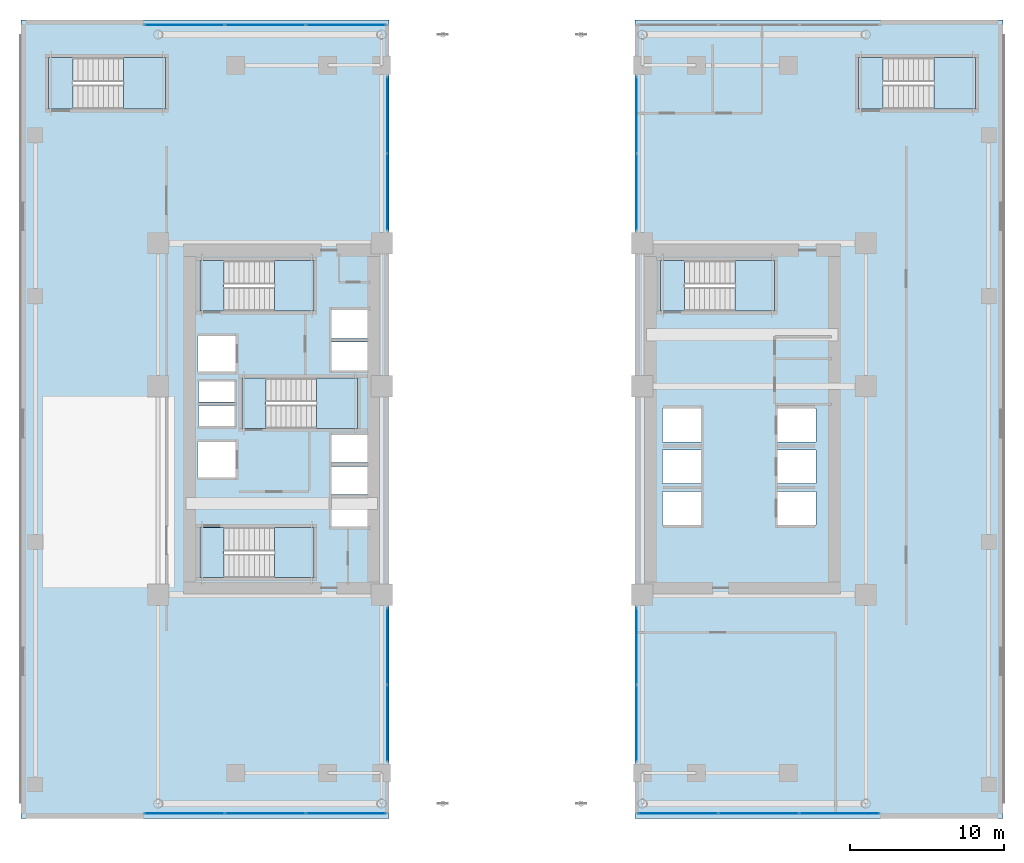
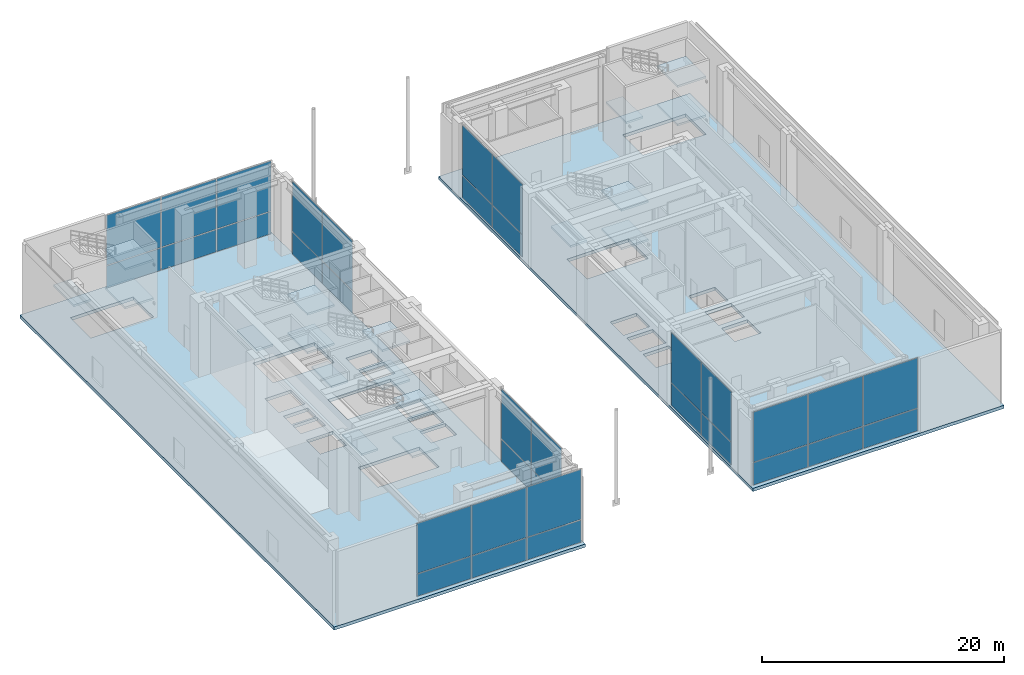
# One storey, part 18 of 29: 34 plates, 20 slabs, 13 elements without a shape of their own.
"""IFC4 building model written with IfcOpenShell, lengths in metres."""

from ifc_helpers import new_model, si_unit, direction, frame, origin, origin_2d, place, context, subcontext, project, spatial, polyline, rectangle, outline, extrude, source, transform, mapped, material, layer, layer_set, type_object, element, aggregate, save


model = new_model("IFC4")

# Units and contexts
model_context = context("Model", 3, precision=1e-05, world=origin(), true_north=direction((0.0, 1.0)))
body_context = subcontext(model_context, "Body", "Model", "MODEL_VIEW")
ifc_project = project(units=[si_unit("LENGTHUNIT", "METRE"), si_unit("AREAUNIT", "SQUARE_METRE"), si_unit("VOLUMEUNIT", "CUBIC_METRE"), si_unit("PLANEANGLEUNIT", "RADIAN"), si_unit("MASSUNIT", "GRAM", prefix="KILO")], contexts=[model_context])

# Site, building, storey
site_placement = place(None, origin())
site = spatial("IfcSite", under=ifc_project, at=site_placement, CompositionType="ELEMENT")
building_placement = place(site_placement, origin())
building = spatial("IfcBuilding", under=site, at=building_placement, Name="Ocotamira Hotel", CompositionType="ELEMENT")
storey_placement = place(building_placement, frame((0.0, 0.0, 11.39990234375)))
storey = spatial("IfcBuildingStorey", under=building, at=storey_placement, Name="L03", CompositionType="ELEMENT", Elevation=11.39990234375)

# Slabs
ifc_material_1 = material(Name="Concrete C40/50", Category="concrete")
ifc_layer_1 = layer(ifc_material_1, 0.320068359375)
ifc_layer_set_1 = layer_set([ifc_layer_1], Name="Concrete C40/50")
slab_type_1 = type_object("IfcSlabType", Name="SLB-HVY-320", PredefinedType="FLOOR", material=ifc_layer_set_1)
slab_1_placement = place(storey_placement, frame((0.0, 0.0, -0.31982421875)))
element("IfcSlab", 1, at=slab_1_placement, inside=storey, type_object=slab_type_1, Name="L03 Structural Floor Slab-P1", PredefinedType="FLOOR", context=body_context, shape_type="SweptSolid", body=[
    extrude(outline(polyline([(0.0, 0.0), (24.0, 0.0), (24.0, 52.0), (0.0, 52.0), (0.0, 0.0)]), holes=[polyline([(13.22998046875, 15.669921875), (19.090087890625, 15.669921875), (19.090087890625, 18.949951171875), (13.22998046875, 18.949951171875), (13.22998046875, 15.669921875)]), polyline([(13.22998046875, 33.050048828125), (19.090087890625, 33.050048828125), (19.090087890625, 36.330078125), (13.22998046875, 36.330078125), (13.22998046875, 33.050048828125)]), polyline([(15.9599609375, 25.39990234375), (21.919921875, 25.39990234375), (21.919921875, 28.679931640625), (15.9599609375, 28.679931640625), (15.9599609375, 25.39990234375)]), polyline([(3.39990234375, 46.199951171875), (9.419921875, 46.199951171875), (9.419921875, 49.56005859375), (3.39990234375, 49.56005859375), (3.39990234375, 46.199951171875)]), polyline([(20.25, 19.0), (22.659912109375, 19.0), (22.659912109375, 20.85009765625), (20.25, 20.85009765625), (20.25, 19.0)]), polyline([(20.25, 21.080078125), (22.659912109375, 21.080078125), (22.659912109375, 22.929931640625), (20.25, 22.929931640625), (20.25, 21.080078125)]), polyline([(20.25, 23.159912109375), (22.659912109375, 23.159912109375), (22.659912109375, 24.9599609375), (20.25, 24.9599609375), (20.25, 23.159912109375)]), polyline([(20.25, 29.179931640625), (22.659912109375, 29.179931640625), (22.659912109375, 31.030029296875), (20.25, 31.030029296875), (20.25, 29.179931640625)]), polyline([(20.25, 31.260009765625), (22.659912109375, 31.260009765625), (22.659912109375, 33.110107421875), (20.25, 33.110107421875), (20.25, 31.260009765625)]), polyline([(11.5, 22.199951171875), (14.0, 22.199951171875), (14.0, 24.5), (11.5, 24.5), (11.5, 22.199951171875)]), polyline([(11.5, 29.10009765625), (14.0, 29.10009765625), (14.0, 31.39990234375), (11.5, 31.39990234375), (11.5, 29.10009765625)]), polyline([(11.580078125, 25.550048828125), (13.919921875, 25.550048828125), (13.919921875, 26.89990234375), (11.580078125, 26.89990234375), (11.580078125, 25.550048828125)]), polyline([(11.580078125, 27.10009765625), (13.919921875, 27.10009765625), (13.919921875, 28.449951171875), (11.580078125, 28.449951171875), (11.580078125, 27.10009765625)])]), origin(), (0.0, 0.0, 1.0), 0.31982421875),
])
slab_2_placement = place(storey_placement, frame((0.0, 0.0, -0.31982421875)))
element("IfcSlab", 2, at=slab_2_placement, inside=storey, type_object=slab_type_1, Name="L03 Structural Floor Slab-P2", PredefinedType="FLOOR", context=body_context, shape_type="SweptSolid", body=[
    extrude(outline(polyline([(40.0, 0.0), (64.0, 0.0), (64.0, 52.0), (40.0, 52.0), (40.0, 0.0)]), holes=[polyline([(43.22998046875, 33.050048828125), (49.090087890625, 33.050048828125), (49.090087890625, 36.330078125), (43.22998046875, 36.330078125), (43.22998046875, 33.050048828125)]), polyline([(56.179931640625, 46.199951171875), (62.199951171875, 46.199951171875), (62.199951171875, 49.56005859375), (56.179931640625, 49.56005859375), (56.179931640625, 46.199951171875)]), polyline([(49.300048828125, 19.10009765625), (51.800048828125, 19.10009765625), (51.800048828125, 21.300048828125), (49.300048828125, 21.300048828125), (49.300048828125, 19.10009765625)]), polyline([(49.300048828125, 21.800048828125), (51.800048828125, 21.800048828125), (51.800048828125, 24.0), (49.300048828125, 24.0), (49.300048828125, 21.800048828125)]), polyline([(49.300048828125, 24.5), (51.800048828125, 24.5), (51.800048828125, 26.699951171875), (49.300048828125, 26.699951171875), (49.300048828125, 24.5)]), polyline([(41.800048828125, 19.10009765625), (44.300048828125, 19.10009765625), (44.300048828125, 21.300048828125), (41.800048828125, 21.300048828125), (41.800048828125, 19.10009765625)]), polyline([(41.800048828125, 21.800048828125), (44.300048828125, 21.800048828125), (44.300048828125, 24.0), (41.800048828125, 24.0), (41.800048828125, 21.800048828125)]), polyline([(41.800048828125, 24.5), (44.300048828125, 24.5), (44.300048828125, 26.699951171875), (41.800048828125, 26.699951171875), (41.800048828125, 24.5)])]), origin(), (0.0, 0.0, 1.0), 0.31982421875),
])

# Stair, slabs
stair_type_1 = type_object("IfcStairType", Name="ST-CORE-1560", PredefinedType="HALF_TURN_STAIR", material=ifc_material_1)
stair_1_placement = place(storey_placement, origin())
stair_1 = element("IfcStair", 3, at=stair_1_placement, inside=storey, type_object=stair_type_1, Name="L03 Exit Stair ST-1", PredefinedType="HALF_TURN_STAIR")
ifc_layer_2 = layer(ifc_material_1, 0.199951171875)
ifc_layer_set_2 = layer_set([ifc_layer_2], Name="Concrete C40/50")
slab_type_2 = type_object("IfcSlabType", Name="SLB-LAND-200", PredefinedType="LANDING", material=ifc_layer_set_2)
slab_3_placement = place(storey_placement, frame((0.0, 0.0, 1.75)))
slab_3 = element("IfcSlab", 4, at=slab_3_placement, type_object=slab_type_2, Name="ST-1 landing 1", PredefinedType="LANDING", context=body_context, shape_type="SweptSolid", body=[
    extrude(outline(polyline([(16.530029296875, 15.669921875), (19.090087890625, 15.669921875), (19.090087890625, 18.949951171875), (16.530029296875, 18.949951171875), (16.530029296875, 15.669921875)])), origin(), (0.0, 0.0, 1.0), 0.2001953125),
])
slab_4_placement = place(storey_placement, frame((0.0, 0.0, 3.7001953125)))
slab_4 = element("IfcSlab", 5, at=slab_4_placement, type_object=slab_type_2, Name="ST-1 landing 2", PredefinedType="LANDING", context=body_context, shape_type="SweptSolid", body=[
    extrude(outline(polyline([(11.669921875, 15.669921875), (13.22998046875, 15.669921875), (13.22998046875, 18.949951171875), (11.669921875, 18.949951171875), (11.669921875, 15.669921875)])), origin(), (0.0, 0.0, 1.0), 0.199951171875),
])
slab_5_placement = place(storey_placement, frame((0.0, 0.0, 5.650146484375)))
slab_5 = element("IfcSlab", 6, at=slab_5_placement, type_object=slab_type_2, Name="ST-1 landing 3", PredefinedType="LANDING", context=body_context, shape_type="SweptSolid", body=[
    extrude(outline(polyline([(16.530029296875, 15.669921875), (19.090087890625, 15.669921875), (19.090087890625, 18.949951171875), (16.530029296875, 18.949951171875), (16.530029296875, 15.669921875)])), origin(), (0.0, 0.0, 1.0), 0.199951171875),
])
aggregate(stair_1, [slab_3, slab_4, slab_5])

stair_2_placement = place(storey_placement, origin())
stair_2 = element("IfcStair", 7, at=stair_2_placement, inside=storey, type_object=stair_type_1, Name="L03 Exit Stair ST-2", PredefinedType="HALF_TURN_STAIR")
slab_6_placement = place(storey_placement, frame((0.0, 0.0, 1.75)))
slab_6 = element("IfcSlab", 8, at=slab_6_placement, type_object=slab_type_2, Name="ST-2 landing 1", PredefinedType="LANDING", context=body_context, shape_type="SweptSolid", body=[
    extrude(outline(polyline([(16.530029296875, 33.050048828125), (19.090087890625, 33.050048828125), (19.090087890625, 36.330078125), (16.530029296875, 36.330078125), (16.530029296875, 33.050048828125)])), origin(), (0.0, 0.0, 1.0), 0.2001953125),
])
slab_7_placement = place(storey_placement, frame((0.0, 0.0, 3.7001953125)))
slab_7 = element("IfcSlab", 9, at=slab_7_placement, type_object=slab_type_2, Name="ST-2 landing 2", PredefinedType="LANDING", context=body_context, shape_type="SweptSolid", body=[
    extrude(outline(polyline([(11.669921875, 33.050048828125), (13.22998046875, 33.050048828125), (13.22998046875, 36.330078125), (11.669921875, 36.330078125), (11.669921875, 33.050048828125)])), origin(), (0.0, 0.0, 1.0), 0.199951171875),
])
slab_8_placement = place(storey_placement, frame((0.0, 0.0, 5.650146484375)))
slab_8 = element("IfcSlab", 10, at=slab_8_placement, type_object=slab_type_2, Name="ST-2 landing 3", PredefinedType="LANDING", context=body_context, shape_type="SweptSolid", body=[
    extrude(outline(polyline([(16.530029296875, 33.050048828125), (19.090087890625, 33.050048828125), (19.090087890625, 36.330078125), (16.530029296875, 36.330078125), (16.530029296875, 33.050048828125)])), origin(), (0.0, 0.0, 1.0), 0.199951171875),
])
aggregate(stair_2, [slab_6, slab_7, slab_8])

stair_3_placement = place(storey_placement, origin())
stair_3 = element("IfcStair", 11, at=stair_3_placement, inside=storey, type_object=stair_type_1, Name="L03 Exit Stair ST-3", PredefinedType="HALF_TURN_STAIR")
slab_9_placement = place(storey_placement, frame((0.0, 0.0, 1.75)))
slab_9 = element("IfcSlab", 12, at=slab_9_placement, type_object=slab_type_2, Name="ST-3 landing 1", PredefinedType="LANDING", context=body_context, shape_type="SweptSolid", body=[
    extrude(outline(polyline([(19.260009765625, 25.39990234375), (21.919921875, 25.39990234375), (21.919921875, 28.679931640625), (19.260009765625, 28.679931640625), (19.260009765625, 25.39990234375)])), origin(), (0.0, 0.0, 1.0), 0.2001953125),
])
slab_10_placement = place(storey_placement, frame((0.0, 0.0, 3.7001953125)))
slab_10 = element("IfcSlab", 13, at=slab_10_placement, type_object=slab_type_2, Name="ST-3 landing 2", PredefinedType="LANDING", context=body_context, shape_type="SweptSolid", body=[
    extrude(outline(polyline([(14.39990234375, 25.39990234375), (15.9599609375, 25.39990234375), (15.9599609375, 28.679931640625), (14.39990234375, 28.679931640625), (14.39990234375, 25.39990234375)])), origin(), (0.0, 0.0, 1.0), 0.199951171875),
])
slab_11_placement = place(storey_placement, frame((0.0, 0.0, 5.650146484375)))
slab_11 = element("IfcSlab", 14, at=slab_11_placement, type_object=slab_type_2, Name="ST-3 landing 3", PredefinedType="LANDING", context=body_context, shape_type="SweptSolid", body=[
    extrude(outline(polyline([(19.260009765625, 25.39990234375), (21.919921875, 25.39990234375), (21.919921875, 28.679931640625), (19.260009765625, 28.679931640625), (19.260009765625, 25.39990234375)])), origin(), (0.0, 0.0, 1.0), 0.199951171875),
])
aggregate(stair_3, [slab_9, slab_10, slab_11])

stair_4_placement = place(storey_placement, origin())
stair_4 = element("IfcStair", 15, at=stair_4_placement, inside=storey, type_object=stair_type_1, Name="L03 Exit Stair ST-4", PredefinedType="HALF_TURN_STAIR")
slab_12_placement = place(storey_placement, frame((0.0, 0.0, 1.75)))
slab_12 = element("IfcSlab", 16, at=slab_12_placement, type_object=slab_type_2, Name="ST-4 landing 1", PredefinedType="LANDING", context=body_context, shape_type="SweptSolid", body=[
    extrude(outline(polyline([(46.530029296875, 33.050048828125), (49.090087890625, 33.050048828125), (49.090087890625, 36.330078125), (46.530029296875, 36.330078125), (46.530029296875, 33.050048828125)])), origin(), (0.0, 0.0, 1.0), 0.2001953125),
])
slab_13_placement = place(storey_placement, frame((0.0, 0.0, 3.7001953125)))
slab_13 = element("IfcSlab", 17, at=slab_13_placement, type_object=slab_type_2, Name="ST-4 landing 2", PredefinedType="LANDING", context=body_context, shape_type="SweptSolid", body=[
    extrude(outline(polyline([(41.669921875, 33.050048828125), (43.22998046875, 33.050048828125), (43.22998046875, 36.330078125), (41.669921875, 36.330078125), (41.669921875, 33.050048828125)])), origin(), (0.0, 0.0, 1.0), 0.199951171875),
])
slab_14_placement = place(storey_placement, frame((0.0, 0.0, 5.650146484375)))
slab_14 = element("IfcSlab", 18, at=slab_14_placement, type_object=slab_type_2, Name="ST-4 landing 3", PredefinedType="LANDING", context=body_context, shape_type="SweptSolid", body=[
    extrude(outline(polyline([(46.530029296875, 33.050048828125), (49.090087890625, 33.050048828125), (49.090087890625, 36.330078125), (46.530029296875, 36.330078125), (46.530029296875, 33.050048828125)])), origin(), (0.0, 0.0, 1.0), 0.199951171875),
])
aggregate(stair_4, [slab_12, slab_13, slab_14])

stair_type_2 = type_object("IfcStairType", Name="ST-POD-1600", PredefinedType="HALF_TURN_STAIR", material=ifc_material_1)
stair_5_placement = place(storey_placement, origin())
stair_5 = element("IfcStair", 19, at=stair_5_placement, inside=storey, type_object=stair_type_2, Name="L03 Exit Stair ST-5", PredefinedType="HALF_TURN_STAIR")
slab_15_placement = place(storey_placement, frame((0.0, 0.0, 1.75)))
slab_15 = element("IfcSlab", 20, at=slab_15_placement, type_object=slab_type_2, Name="ST-5 landing 1", PredefinedType="LANDING", context=body_context, shape_type="SweptSolid", body=[
    extrude(outline(polyline([(6.699951171875, 46.199951171875), (9.419921875, 46.199951171875), (9.419921875, 49.56005859375), (6.699951171875, 49.56005859375), (6.699951171875, 46.199951171875)])), origin(), (0.0, 0.0, 1.0), 0.2001953125),
])
slab_16_placement = place(storey_placement, frame((0.0, 0.0, 3.7001953125)))
slab_16 = element("IfcSlab", 21, at=slab_16_placement, type_object=slab_type_2, Name="ST-5 landing 2", PredefinedType="LANDING", context=body_context, shape_type="SweptSolid", body=[
    extrude(outline(polyline([(1.800048828125, 46.199951171875), (3.39990234375, 46.199951171875), (3.39990234375, 49.56005859375), (1.800048828125, 49.56005859375), (1.800048828125, 46.199951171875)])), origin(), (0.0, 0.0, 1.0), 0.199951171875),
])
slab_17_placement = place(storey_placement, frame((0.0, 0.0, 5.650146484375)))
slab_17 = element("IfcSlab", 22, at=slab_17_placement, type_object=slab_type_2, Name="ST-5 landing 3", PredefinedType="LANDING", context=body_context, shape_type="SweptSolid", body=[
    extrude(outline(polyline([(6.699951171875, 46.199951171875), (9.419921875, 46.199951171875), (9.419921875, 49.56005859375), (6.699951171875, 49.56005859375), (6.699951171875, 46.199951171875)])), origin(), (0.0, 0.0, 1.0), 0.199951171875),
])
aggregate(stair_5, [slab_15, slab_16, slab_17])

stair_6_placement = place(storey_placement, origin())
stair_6 = element("IfcStair", 23, at=stair_6_placement, inside=storey, type_object=stair_type_2, Name="L03 Exit Stair ST-6", PredefinedType="HALF_TURN_STAIR")
slab_18_placement = place(storey_placement, frame((0.0, 0.0, 1.75)))
slab_18 = element("IfcSlab", 24, at=slab_18_placement, type_object=slab_type_2, Name="ST-6 landing 1", PredefinedType="LANDING", context=body_context, shape_type="SweptSolid", body=[
    extrude(outline(polyline([(59.47998046875, 46.199951171875), (62.199951171875, 46.199951171875), (62.199951171875, 49.56005859375), (59.47998046875, 49.56005859375), (59.47998046875, 46.199951171875)])), origin(), (0.0, 0.0, 1.0), 0.2001953125),
])
slab_19_placement = place(storey_placement, frame((0.0, 0.0, 3.7001953125)))
slab_19 = element("IfcSlab", 25, at=slab_19_placement, type_object=slab_type_2, Name="ST-6 landing 2", PredefinedType="LANDING", context=body_context, shape_type="SweptSolid", body=[
    extrude(outline(polyline([(54.580078125, 46.199951171875), (56.179931640625, 46.199951171875), (56.179931640625, 49.56005859375), (54.580078125, 49.56005859375), (54.580078125, 46.199951171875)])), origin(), (0.0, 0.0, 1.0), 0.199951171875),
])
slab_20_placement = place(storey_placement, frame((0.0, 0.0, 5.650146484375)))
slab_20 = element("IfcSlab", 26, at=slab_20_placement, type_object=slab_type_2, Name="ST-6 landing 3", PredefinedType="LANDING", context=body_context, shape_type="SweptSolid", body=[
    extrude(outline(polyline([(59.47998046875, 46.199951171875), (62.199951171875, 46.199951171875), (62.199951171875, 49.56005859375), (59.47998046875, 49.56005859375), (59.47998046875, 46.199951171875)])), origin(), (0.0, 0.0, 1.0), 0.199951171875),
])
aggregate(stair_6, [slab_18, slab_19, slab_20])

# Curtain wall, plates
ifc_material_2 = material(Name="Anodised pale-metal aluminium and solar glass", Category="aluminium")
ifc_layer_3 = layer(ifc_material_2, 0.219970703125)
ifc_layer_set_3 = layer_set([ifc_layer_3], Name="Anodised pale-metal aluminium and solar glass")
curtain_wall_type = type_object("IfcCurtainWallType", Name="CW-SYS1-POD", PredefinedType="NOTDEFINED", material=ifc_layer_set_3)
curtain_wall_1_placement = place(storey_placement, origin())
curtain_wall_1 = element("IfcCurtainWall", 27, at=curtain_wall_1_placement, inside=storey, type_object=curtain_wall_type, Name="L03 Curtain Wall CW-1 CW-L03-SE", PredefinedType="NOTDEFINED")
ifc_material_3 = material(Name="Double-silver low-E insulated solar glass", Category="glass")
ifc_layer_4 = layer(ifc_material_3, 0.031982421875)
ifc_layer_set_4 = layer_set([ifc_layer_4], Name="Double-silver low-E insulated solar glass")
plate_type = type_object("IfcPlateType", Name="CWP-VISION-32", PredefinedType="CURTAIN_PANEL", material=ifc_layer_set_4)
shared_shape_1 = source(origin(), body_context, "Body", "SweptSolid", [
    extrude(rectangle(XDim=5.163330078125, YDim=0.031982421875, at=origin_2d()), origin(), (0.0, 0.0, 1.0), 2.237548828125),
])
plate_1_placement = place(storey_placement, frame((42.811767578125, 0.320068359375, 0.0751953125), z_axis=(0.0, 0.0, 1.0), x_axis=(1.0, 0.0, 0.0)))
plate_1 = element("IfcPlate", 28, at=plate_1_placement, type_object=plate_type, Name="CW-1 panel 1.1", PredefinedType="CURTAIN_PANEL", context=body_context, shape_type="MappedRepresentation", body=[
    mapped(shared_shape_1, transform((0.0, 0.0, 0.0), scale=1.0)),
])
plate_2_placement = place(storey_placement, frame((53.33837890625, 0.320068359375, 0.0751953125), z_axis=(0.0, 0.0, 1.0), x_axis=(1.0, 0.0, 0.0)))
plate_2 = element("IfcPlate", 29, at=plate_2_placement, type_object=plate_type, Name="CW-1 panel 3.1", PredefinedType="CURTAIN_PANEL", context=body_context, shape_type="MappedRepresentation", body=[
    mapped(shared_shape_1, transform((0.0, 0.0, 0.0), scale=1.0)),
])

curtain_wall_2_placement = place(storey_placement, origin())
curtain_wall_2 = element("IfcCurtainWall", 30, at=curtain_wall_2_placement, inside=storey, type_object=curtain_wall_type, Name="L03 Curtain Wall CW-1 CW-L03-SW", PredefinedType="NOTDEFINED")
plate_3_placement = place(storey_placement, frame((10.66162109375, 0.320068359375, 0.0751953125), z_axis=(0.0, 0.0, 1.0), x_axis=(1.0, 0.0, 0.0)))
plate_3 = element("IfcPlate", 31, at=plate_3_placement, type_object=plate_type, Name="CW-1 panel 1.1", PredefinedType="CURTAIN_PANEL", context=body_context, shape_type="MappedRepresentation", body=[
    mapped(shared_shape_1, transform((0.0, 0.0, 0.0), scale=1.0)),
])
plate_4_placement = place(storey_placement, frame((21.188232421875, 0.320068359375, 0.0751953125), z_axis=(0.0, 0.0, 1.0), x_axis=(1.0, 0.0, 0.0)))
plate_4 = element("IfcPlate", 32, at=plate_4_placement, type_object=plate_type, Name="CW-1 panel 3.1", PredefinedType="CURTAIN_PANEL", context=body_context, shape_type="MappedRepresentation", body=[
    mapped(shared_shape_1, transform((0.0, 0.0, 0.0), scale=1.0)),
])

curtain_wall_3_placement = place(storey_placement, origin())
curtain_wall_3 = element("IfcCurtainWall", 33, at=curtain_wall_3_placement, inside=storey, type_object=curtain_wall_type, Name="L03 Curtain Wall CW-1 CW-L03-NW", PredefinedType="NOTDEFINED")
plate_5_placement = place(storey_placement, frame((10.66162109375, 51.679931640625, 0.0751953125), z_axis=(0.0, 0.0, 1.0), x_axis=(1.0, 0.0, 0.0)))
plate_5 = element("IfcPlate", 34, at=plate_5_placement, type_object=plate_type, Name="CW-1 panel 1.1", PredefinedType="CURTAIN_PANEL", context=body_context, shape_type="MappedRepresentation", body=[
    mapped(shared_shape_1, transform((0.0, 0.0, 0.0), scale=1.0)),
])
plate_6_placement = place(storey_placement, frame((21.188232421875, 51.679931640625, 0.0751953125), z_axis=(0.0, 0.0, 1.0), x_axis=(1.0, 0.0, 0.0)))
plate_6 = element("IfcPlate", 35, at=plate_6_placement, type_object=plate_type, Name="CW-1 panel 3.1", PredefinedType="CURTAIN_PANEL", context=body_context, shape_type="MappedRepresentation", body=[
    mapped(shared_shape_1, transform((0.0, 0.0, 0.0), scale=1.0)),
])

# Plate
shared_shape_2 = source(origin(), body_context, "Body", "SweptSolid", [
    extrude(rectangle(XDim=5.203369140625, YDim=0.031982421875, at=origin_2d()), origin(), (0.0, 0.0, 1.0), 2.237548828125),
])
plate_7_placement = place(storey_placement, frame((48.074951171875, 0.320068359375, 0.0751953125), z_axis=(0.0, 0.0, 1.0), x_axis=(1.0, 0.0, 0.0)))
plate_7 = element("IfcPlate", 36, at=plate_7_placement, type_object=plate_type, Name="CW-1 panel 2.1", PredefinedType="CURTAIN_PANEL", context=body_context, shape_type="MappedRepresentation", body=[
    mapped(shared_shape_2, transform((0.0, 0.0, 0.0), scale=1.0)),
])

plate_8_placement = place(storey_placement, frame((15.925048828125, 0.320068359375, 0.0751953125), z_axis=(0.0, 0.0, 1.0), x_axis=(1.0, 0.0, 0.0)))
plate_8 = element("IfcPlate", 37, at=plate_8_placement, type_object=plate_type, Name="CW-1 panel 2.1", PredefinedType="CURTAIN_PANEL", context=body_context, shape_type="MappedRepresentation", body=[
    mapped(shared_shape_2, transform((0.0, 0.0, 0.0), scale=1.0)),
])

plate_9_placement = place(storey_placement, frame((15.925048828125, 51.679931640625, 0.0751953125), z_axis=(0.0, 0.0, 1.0), x_axis=(1.0, 0.0, 0.0)))
plate_9 = element("IfcPlate", 38, at=plate_9_placement, type_object=plate_type, Name="CW-1 panel 2.1", PredefinedType="CURTAIN_PANEL", context=body_context, shape_type="MappedRepresentation", body=[
    mapped(shared_shape_2, transform((0.0, 0.0, 0.0), scale=1.0)),
])

# Curtain wall, plates
curtain_wall_4_placement = place(storey_placement, origin())
curtain_wall_4 = element("IfcCurtainWall", 39, at=curtain_wall_4_placement, inside=storey, type_object=curtain_wall_type, Name="L03 Curtain Wall CW-1 CW-L03-AW-S", PredefinedType="NOTDEFINED")
shared_shape_3 = source(origin(), body_context, "Body", "SweptSolid", [
    extrude(rectangle(XDim=4.929931640625, YDim=0.031982421875, at=origin_2d()), origin(), (0.0, 0.0, 1.0), 2.237548828125),
])
plate_10_placement = place(storey_placement, frame((23.8798828125, 6.195068359375, 0.0751953125), z_axis=(0.0, 0.0, 1.0), x_axis=(0.0, 1.0, 0.0)))
plate_10 = element("IfcPlate", 40, at=plate_10_placement, type_object=plate_type, Name="CW-1 panel 1.1", PredefinedType="CURTAIN_PANEL", context=body_context, shape_type="MappedRepresentation", body=[
    mapped(shared_shape_3, transform((0.0, 0.0, 0.0), scale=1.0)),
])
plate_11_placement = place(storey_placement, frame((23.8798828125, 11.205078125, 0.0751953125), z_axis=(0.0, 0.0, 1.0), x_axis=(0.0, 1.0, 0.0)))
plate_11 = element("IfcPlate", 41, at=plate_11_placement, type_object=plate_type, Name="CW-1 panel 2.1", PredefinedType="CURTAIN_PANEL", context=body_context, shape_type="MappedRepresentation", body=[
    mapped(shared_shape_3, transform((0.0, 0.0, 0.0), scale=1.0)),
])

curtain_wall_5_placement = place(storey_placement, origin())
curtain_wall_5 = element("IfcCurtainWall", 42, at=curtain_wall_5_placement, inside=storey, type_object=curtain_wall_type, Name="L03 Curtain Wall CW-1 CW-L03-AW-N", PredefinedType="NOTDEFINED")
plate_12_placement = place(storey_placement, frame((23.8798828125, 40.794921875, 0.0751953125), z_axis=(0.0, 0.0, 1.0), x_axis=(0.0, 1.0, 0.0)))
plate_12 = element("IfcPlate", 43, at=plate_12_placement, type_object=plate_type, Name="CW-1 panel 1.1", PredefinedType="CURTAIN_PANEL", context=body_context, shape_type="MappedRepresentation", body=[
    mapped(shared_shape_3, transform((0.0, 0.0, 0.0), scale=1.0)),
])
plate_13_placement = place(storey_placement, frame((23.8798828125, 45.804931640625, 0.0751953125), z_axis=(0.0, 0.0, 1.0), x_axis=(0.0, 1.0, 0.0)))
plate_13 = element("IfcPlate", 44, at=plate_13_placement, type_object=plate_type, Name="CW-1 panel 2.1", PredefinedType="CURTAIN_PANEL", context=body_context, shape_type="MappedRepresentation", body=[
    mapped(shared_shape_3, transform((0.0, 0.0, 0.0), scale=1.0)),
])

curtain_wall_6_placement = place(storey_placement, origin())
curtain_wall_6 = element("IfcCurtainWall", 45, at=curtain_wall_6_placement, inside=storey, type_object=curtain_wall_type, Name="L03 Curtain Wall CW-1 CW-L03-AE-S", PredefinedType="NOTDEFINED")
plate_14_placement = place(storey_placement, frame((40.1201171875, 6.195068359375, 0.0751953125), z_axis=(0.0, 0.0, 1.0), x_axis=(0.0, 1.0, 0.0)))
plate_14 = element("IfcPlate", 46, at=plate_14_placement, type_object=plate_type, Name="CW-1 panel 1.1", PredefinedType="CURTAIN_PANEL", context=body_context, shape_type="MappedRepresentation", body=[
    mapped(shared_shape_3, transform((0.0, 0.0, 0.0), scale=1.0)),
])
plate_15_placement = place(storey_placement, frame((40.1201171875, 11.205078125, 0.0751953125), z_axis=(0.0, 0.0, 1.0), x_axis=(0.0, 1.0, 0.0)))
plate_15 = element("IfcPlate", 47, at=plate_15_placement, type_object=plate_type, Name="CW-1 panel 2.1", PredefinedType="CURTAIN_PANEL", context=body_context, shape_type="MappedRepresentation", body=[
    mapped(shared_shape_3, transform((0.0, 0.0, 0.0), scale=1.0)),
])

curtain_wall_7_placement = place(storey_placement, origin())
curtain_wall_7 = element("IfcCurtainWall", 48, at=curtain_wall_7_placement, inside=storey, type_object=curtain_wall_type, Name="L03 Curtain Wall CW-1 CW-L03-AE-N", PredefinedType="NOTDEFINED")
plate_16_placement = place(storey_placement, frame((40.1201171875, 40.794921875, 0.0751953125), z_axis=(0.0, 0.0, 1.0), x_axis=(0.0, 1.0, 0.0)))
plate_16 = element("IfcPlate", 49, at=plate_16_placement, type_object=plate_type, Name="CW-1 panel 1.1", PredefinedType="CURTAIN_PANEL", context=body_context, shape_type="MappedRepresentation", body=[
    mapped(shared_shape_3, transform((0.0, 0.0, 0.0), scale=1.0)),
])
plate_17_placement = place(storey_placement, frame((40.1201171875, 45.804931640625, 0.0751953125), z_axis=(0.0, 0.0, 1.0), x_axis=(0.0, 1.0, 0.0)))
plate_17 = element("IfcPlate", 50, at=plate_17_placement, type_object=plate_type, Name="CW-1 panel 2.1", PredefinedType="CURTAIN_PANEL", context=body_context, shape_type="MappedRepresentation", body=[
    mapped(shared_shape_3, transform((0.0, 0.0, 0.0), scale=1.0)),
])

# Plate
shared_shape_4 = source(origin(), body_context, "Body", "SweptSolid", [
    extrude(rectangle(XDim=5.163330078125, YDim=0.031982421875, at=origin_2d()), origin(), (0.0, 0.0, 1.0), 5.047607421875),
])
plate_18_placement = place(storey_placement, frame((42.811767578125, 0.320068359375, 2.3876953125), z_axis=(0.0, 0.0, 1.0), x_axis=(1.0, 0.0, 0.0)))
plate_18 = element("IfcPlate", 51, at=plate_18_placement, type_object=plate_type, Name="CW-1 panel 1.2", PredefinedType="CURTAIN_PANEL", context=body_context, shape_type="MappedRepresentation", body=[
    mapped(shared_shape_4, transform((0.0, 0.0, 0.0), scale=1.0)),
])

plate_19_placement = place(storey_placement, frame((53.33837890625, 0.320068359375, 2.3876953125), z_axis=(0.0, 0.0, 1.0), x_axis=(1.0, 0.0, 0.0)))
plate_19 = element("IfcPlate", 52, at=plate_19_placement, type_object=plate_type, Name="CW-1 panel 3.2", PredefinedType="CURTAIN_PANEL", context=body_context, shape_type="MappedRepresentation", body=[
    mapped(shared_shape_4, transform((0.0, 0.0, 0.0), scale=1.0)),
])

plate_20_placement = place(storey_placement, frame((10.66162109375, 0.320068359375, 2.3876953125), z_axis=(0.0, 0.0, 1.0), x_axis=(1.0, 0.0, 0.0)))
plate_20 = element("IfcPlate", 53, at=plate_20_placement, type_object=plate_type, Name="CW-1 panel 1.2", PredefinedType="CURTAIN_PANEL", context=body_context, shape_type="MappedRepresentation", body=[
    mapped(shared_shape_4, transform((0.0, 0.0, 0.0), scale=1.0)),
])

plate_21_placement = place(storey_placement, frame((21.188232421875, 0.320068359375, 2.3876953125), z_axis=(0.0, 0.0, 1.0), x_axis=(1.0, 0.0, 0.0)))
plate_21 = element("IfcPlate", 54, at=plate_21_placement, type_object=plate_type, Name="CW-1 panel 3.2", PredefinedType="CURTAIN_PANEL", context=body_context, shape_type="MappedRepresentation", body=[
    mapped(shared_shape_4, transform((0.0, 0.0, 0.0), scale=1.0)),
])

plate_22_placement = place(storey_placement, frame((10.66162109375, 51.679931640625, 2.3876953125), z_axis=(0.0, 0.0, 1.0), x_axis=(1.0, 0.0, 0.0)))
plate_22 = element("IfcPlate", 55, at=plate_22_placement, type_object=plate_type, Name="CW-1 panel 1.2", PredefinedType="CURTAIN_PANEL", context=body_context, shape_type="MappedRepresentation", body=[
    mapped(shared_shape_4, transform((0.0, 0.0, 0.0), scale=1.0)),
])

plate_23_placement = place(storey_placement, frame((21.188232421875, 51.679931640625, 2.3876953125), z_axis=(0.0, 0.0, 1.0), x_axis=(1.0, 0.0, 0.0)))
plate_23 = element("IfcPlate", 56, at=plate_23_placement, type_object=plate_type, Name="CW-1 panel 3.2", PredefinedType="CURTAIN_PANEL", context=body_context, shape_type="MappedRepresentation", body=[
    mapped(shared_shape_4, transform((0.0, 0.0, 0.0), scale=1.0)),
])

shared_shape_5 = source(origin(), body_context, "Body", "SweptSolid", [
    extrude(rectangle(XDim=5.203369140625, YDim=0.031982421875, at=origin_2d()), origin(), (0.0, 0.0, 1.0), 5.047607421875),
])
plate_24_placement = place(storey_placement, frame((48.074951171875, 0.320068359375, 2.3876953125), z_axis=(0.0, 0.0, 1.0), x_axis=(1.0, 0.0, 0.0)))
plate_24 = element("IfcPlate", 57, at=plate_24_placement, type_object=plate_type, Name="CW-1 panel 2.2", PredefinedType="CURTAIN_PANEL", context=body_context, shape_type="MappedRepresentation", body=[
    mapped(shared_shape_5, transform((0.0, 0.0, 0.0), scale=1.0)),
])

aggregate(curtain_wall_1, [plate_1, plate_18, plate_7, plate_24, plate_2, plate_19])

plate_25_placement = place(storey_placement, frame((15.925048828125, 0.320068359375, 2.3876953125), z_axis=(0.0, 0.0, 1.0), x_axis=(1.0, 0.0, 0.0)))
plate_25 = element("IfcPlate", 58, at=plate_25_placement, type_object=plate_type, Name="CW-1 panel 2.2", PredefinedType="CURTAIN_PANEL", context=body_context, shape_type="MappedRepresentation", body=[
    mapped(shared_shape_5, transform((0.0, 0.0, 0.0), scale=1.0)),
])

aggregate(curtain_wall_2, [plate_3, plate_20, plate_8, plate_25, plate_4, plate_21])

plate_26_placement = place(storey_placement, frame((15.925048828125, 51.679931640625, 2.3876953125), z_axis=(0.0, 0.0, 1.0), x_axis=(1.0, 0.0, 0.0)))
plate_26 = element("IfcPlate", 59, at=plate_26_placement, type_object=plate_type, Name="CW-1 panel 2.2", PredefinedType="CURTAIN_PANEL", context=body_context, shape_type="MappedRepresentation", body=[
    mapped(shared_shape_5, transform((0.0, 0.0, 0.0), scale=1.0)),
])

aggregate(curtain_wall_3, [plate_5, plate_22, plate_9, plate_26, plate_6, plate_23])

shared_shape_6 = source(origin(), body_context, "Body", "SweptSolid", [
    extrude(rectangle(XDim=4.929931640625, YDim=0.031982421875, at=origin_2d()), origin(), (0.0, 0.0, 1.0), 5.047607421875),
])
plate_27_placement = place(storey_placement, frame((23.8798828125, 6.195068359375, 2.3876953125), z_axis=(0.0, 0.0, 1.0), x_axis=(0.0, 1.0, 0.0)))
plate_27 = element("IfcPlate", 60, at=plate_27_placement, type_object=plate_type, Name="CW-1 panel 1.2", PredefinedType="CURTAIN_PANEL", context=body_context, shape_type="MappedRepresentation", body=[
    mapped(shared_shape_6, transform((0.0, 0.0, 0.0), scale=1.0)),
])

plate_28_placement = place(storey_placement, frame((23.8798828125, 11.205078125, 2.3876953125), z_axis=(0.0, 0.0, 1.0), x_axis=(0.0, 1.0, 0.0)))
plate_28 = element("IfcPlate", 61, at=plate_28_placement, type_object=plate_type, Name="CW-1 panel 2.2", PredefinedType="CURTAIN_PANEL", context=body_context, shape_type="MappedRepresentation", body=[
    mapped(shared_shape_6, transform((0.0, 0.0, 0.0), scale=1.0)),
])

aggregate(curtain_wall_4, [plate_10, plate_27, plate_11, plate_28])

plate_29_placement = place(storey_placement, frame((23.8798828125, 40.794921875, 2.3876953125), z_axis=(0.0, 0.0, 1.0), x_axis=(0.0, 1.0, 0.0)))
plate_29 = element("IfcPlate", 62, at=plate_29_placement, type_object=plate_type, Name="CW-1 panel 1.2", PredefinedType="CURTAIN_PANEL", context=body_context, shape_type="MappedRepresentation", body=[
    mapped(shared_shape_6, transform((0.0, 0.0, 0.0), scale=1.0)),
])

plate_30_placement = place(storey_placement, frame((23.8798828125, 45.804931640625, 2.3876953125), z_axis=(0.0, 0.0, 1.0), x_axis=(0.0, 1.0, 0.0)))
plate_30 = element("IfcPlate", 63, at=plate_30_placement, type_object=plate_type, Name="CW-1 panel 2.2", PredefinedType="CURTAIN_PANEL", context=body_context, shape_type="MappedRepresentation", body=[
    mapped(shared_shape_6, transform((0.0, 0.0, 0.0), scale=1.0)),
])

aggregate(curtain_wall_5, [plate_12, plate_29, plate_13, plate_30])

plate_31_placement = place(storey_placement, frame((40.1201171875, 6.195068359375, 2.3876953125), z_axis=(0.0, 0.0, 1.0), x_axis=(0.0, 1.0, 0.0)))
plate_31 = element("IfcPlate", 64, at=plate_31_placement, type_object=plate_type, Name="CW-1 panel 1.2", PredefinedType="CURTAIN_PANEL", context=body_context, shape_type="MappedRepresentation", body=[
    mapped(shared_shape_6, transform((0.0, 0.0, 0.0), scale=1.0)),
])

plate_32_placement = place(storey_placement, frame((40.1201171875, 11.205078125, 2.3876953125), z_axis=(0.0, 0.0, 1.0), x_axis=(0.0, 1.0, 0.0)))
plate_32 = element("IfcPlate", 65, at=plate_32_placement, type_object=plate_type, Name="CW-1 panel 2.2", PredefinedType="CURTAIN_PANEL", context=body_context, shape_type="MappedRepresentation", body=[
    mapped(shared_shape_6, transform((0.0, 0.0, 0.0), scale=1.0)),
])

aggregate(curtain_wall_6, [plate_14, plate_31, plate_15, plate_32])

plate_33_placement = place(storey_placement, frame((40.1201171875, 40.794921875, 2.3876953125), z_axis=(0.0, 0.0, 1.0), x_axis=(0.0, 1.0, 0.0)))
plate_33 = element("IfcPlate", 66, at=plate_33_placement, type_object=plate_type, Name="CW-1 panel 1.2", PredefinedType="CURTAIN_PANEL", context=body_context, shape_type="MappedRepresentation", body=[
    mapped(shared_shape_6, transform((0.0, 0.0, 0.0), scale=1.0)),
])

plate_34_placement = place(storey_placement, frame((40.1201171875, 45.804931640625, 2.3876953125), z_axis=(0.0, 0.0, 1.0), x_axis=(0.0, 1.0, 0.0)))
plate_34 = element("IfcPlate", 67, at=plate_34_placement, type_object=plate_type, Name="CW-1 panel 2.2", PredefinedType="CURTAIN_PANEL", context=body_context, shape_type="MappedRepresentation", body=[
    mapped(shared_shape_6, transform((0.0, 0.0, 0.0), scale=1.0)),
])

aggregate(curtain_wall_7, [plate_16, plate_33, plate_17, plate_34])

save(model, "model.ifc")
